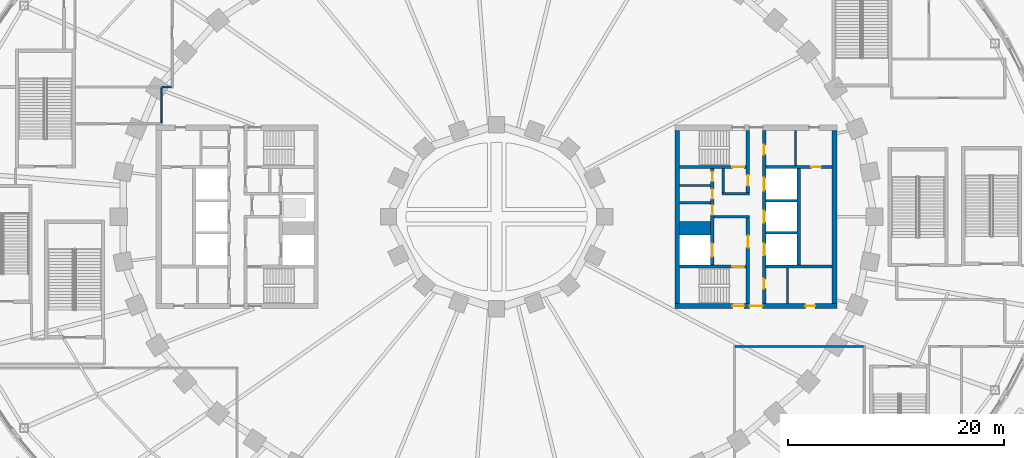
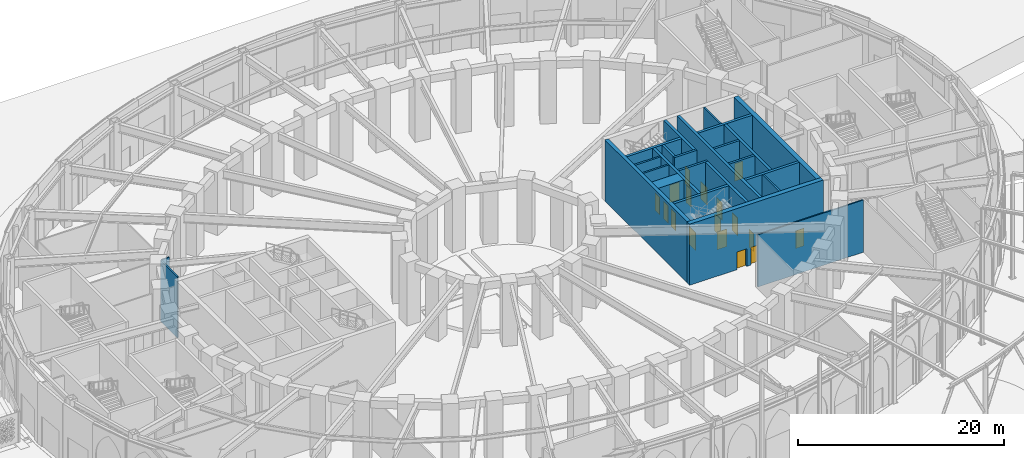
# One storey, part 46 of 79: 25 walls, 17 doors, 17 openings.
"""IFC4 building model written with IfcOpenShell, lengths in metres."""

from ifc_helpers import new_model, si_unit, direction, frame, frame_2d, origin, place, context, subcontext, project, spatial, rectangle, extrude, material, layer, layer_set, type_object, element, fill, save


model = new_model("IFC4")

# Units and contexts
model_context = context("Model", 3, precision=1e-05, world=origin(), true_north=direction((0.0, 1.0)))
body_context = subcontext(model_context, "Body", "Model", "MODEL_VIEW")
ifc_project = project(units=[si_unit("LENGTHUNIT", "METRE"), si_unit("AREAUNIT", "SQUARE_METRE"), si_unit("VOLUMEUNIT", "CUBIC_METRE"), si_unit("PLANEANGLEUNIT", "RADIAN"), si_unit("MASSUNIT", "GRAM", prefix="KILO")], contexts=[model_context])

# Site, building, storey
site_placement = place(None, origin())
site = spatial("IfcSite", under=ifc_project, at=site_placement, CompositionType="ELEMENT")
building_placement = place(site_placement, origin())
building = spatial("IfcBuilding", under=site, at=building_placement, Name="Noorbagh Ring Tower", CompositionType="ELEMENT")
storey_placement = place(building_placement, origin())
storey = spatial("IfcBuildingStorey", under=building, at=storey_placement, Name="L00", CompositionType="ELEMENT", Elevation=0.0)

# Walls
ifc_material_1 = material(Name="Gypsum board on steel studs", Category="steel")
ifc_layer_1 = layer(ifc_material_1, 0.199951171875)
ifc_layer_set_1 = layer_set([ifc_layer_1], Name="Gypsum board on steel studs")
wall_type_1 = type_object("IfcWallType", Name="CORE-PARTITION-200", PredefinedType="PARTITIONING", material=ifc_layer_set_1)
for number, where, z_axis, x_axis, name in (
    (1, (16.89990234375, 1.300048828125, 0.0), (0.0, 0.0, 1.0), (1.0, 0.0, 0.0), "Core partition E"),
    (2, (16.89990234375, 2.89990234375, 0.0), (0.0, 0.0, 1.0), (1.0, 0.0, 0.0), "Core partition E"),
):
    element("IfcWall", number, at=place(storey_placement, frame(where, z_axis=z_axis, x_axis=x_axis)), inside=storey, type_object=wall_type_1, Name=name, PredefinedType="PARTITIONING", context=body_context, shape_type="SweptSolid", body=[
        extrude(rectangle(XDim=2.900146484375, YDim=0.199951171875, at=frame_2d((1.4501953125, 0.0))), origin(), (0.0, 0.0, 1.0), 7.25),
    ])
for number, where, z_axis, x_axis, name in (
    (3, (27.64990234375, 4.75, 0.0), (0.0, 0.0, 1.0), (0.0, 1.0, 0.0), "Core partition E"),
    (4, (26.89990234375, -8.0, 0.0), (0.0, 0.0, 1.0), (0.0, 1.0, 0.0), "Core partition E"),
):
    element("IfcWall", number, at=place(storey_placement, frame(where, z_axis=z_axis, x_axis=x_axis)), inside=storey, type_object=wall_type_1, Name=name, PredefinedType="PARTITIONING", context=body_context, shape_type="SweptSolid", body=[
        extrude(rectangle(XDim=3.25, YDim=0.199951171875, at=frame_2d((1.625, 0.0))), origin(), (0.0, 0.0, 1.0), 7.25),
    ])
ifc_material_2 = material(Name="Concrete C70/85", Category="concrete")
ifc_layer_2 = layer(ifc_material_2, 1.25)
ifc_layer_set_2 = layer_set([ifc_layer_2], Name="Concrete C70/85")
wall_type_2 = type_object("IfcWallType", Name="CORE-WALL-1250-C70-85-EI120", PredefinedType="SHEAR", material=ifc_layer_set_2)
wall_1_placement = place(storey_placement, frame((16.89990234375, -1.074951171875, 0.0), z_axis=(0.0, 0.0, 1.0), x_axis=(1.0, 0.0, 0.0)))
element("IfcWall", 5, at=wall_1_placement, inside=storey, type_object=wall_type_2, Name="Core wall E", PredefinedType="SHEAR", context=body_context, shape_type="SweptSolid", body=[
    extrude(rectangle(XDim=2.900146484375, YDim=1.25, at=frame_2d((1.4501953125, 0.0))), origin(), (0.0, 0.0, 1.0), 7.25),
])
ifc_material_3 = material(Name="Concrete C70/85", Category="concrete")
ifc_layer_3 = layer(ifc_material_3, 0.25)
ifc_layer_set_3 = layer_set([ifc_layer_3], Name="Concrete C70/85")
wall_type_3 = type_object("IfcWallType", Name="CORE-WALL-250-C70-85-EI120", PredefinedType="SHEAR", material=ifc_layer_set_3)
for number, where, z_axis, x_axis, name in (
    (6, (24.89990234375, -1.47509765625, 0.0), (0.0, 0.0, 1.0), (1.0, 0.0, 0.0), "Core wall E"),
    (7, (24.89990234375, 1.47509765625, 0.0), (0.0, 0.0, 1.0), (1.0, 0.0, 0.0), "Core wall E"),
):
    element("IfcWall", number, at=place(storey_placement, frame(where, z_axis=z_axis, x_axis=x_axis)), inside=storey, type_object=wall_type_3, Name=name, PredefinedType="SHEAR", context=body_context, shape_type="SweptSolid", body=[
        extrude(rectangle(XDim=2.900146484375, YDim=0.25, at=frame_2d((1.4501953125, 0.0))), origin(), (0.0, 0.0, 1.0), 7.25),
    ])
ifc_material_4 = material(Name="Concrete C70/85", Category="concrete")
ifc_layer_4 = layer(ifc_material_4, 0.25)
ifc_layer_set_4 = layer_set([ifc_layer_4], Name="Concrete C70/85")
wall_type_4 = type_object("IfcWallType", Name="CORE-WALL-250-C70-85-EI240", PredefinedType="SHEAR", material=ifc_layer_set_4)
wall_2_placement = place(storey_placement, frame((20.10009765625, 0.0, 0.0), z_axis=(0.0, 0.0, 1.0), x_axis=(1.0, 0.0, 0.0)))
element("IfcWall", 8, at=wall_2_placement, inside=storey, type_object=wall_type_4, Name="Core wall E", PredefinedType="SHEAR", context=body_context, shape_type="SweptSolid", body=[
    extrude(rectangle(XDim=3.27978515625, YDim=0.25, at=frame_2d((1.639892578125, 0.0))), origin(), (0.0, 0.0, 1.0), 7.25),
])
wall_3_placement = place(storey_placement, frame((20.85009765625, 2.125, 0.0), z_axis=(0.0, 0.0, 1.0), x_axis=(1.0, 0.0, 0.0)))
element("IfcWall", 9, at=wall_3_placement, inside=storey, type_object=wall_type_4, Name="Core wall E", PredefinedType="SHEAR", context=body_context, shape_type="SweptSolid", body=[
    extrude(rectangle(XDim=2.52978515625, YDim=0.25, at=frame_2d((1.264892578125, 0.0))), origin(), (0.0, 0.0, 1.0), 7.25),
])
wall_4_placement = place(storey_placement, frame((20.97509765625, 2.25, 0.0), z_axis=(0.0, 0.0, 1.0), x_axis=(0.0, 1.0, 0.0)))
element("IfcWall", 10, at=wall_4_placement, inside=storey, type_object=wall_type_4, Name="Core wall E", PredefinedType="SHEAR", context=body_context, shape_type="SweptSolid", body=[
    extrude(rectangle(XDim=2.199951171875, YDim=0.25, at=frame_2d((1.10009765625, 0.0))), origin(), (0.0, 0.0, 1.0), 7.25),
])
ifc_material_5 = material(Name="Concrete C70/85", Category="concrete")
ifc_layer_5 = layer(ifc_material_5, 0.300048828125)
ifc_layer_set_5 = layer_set([ifc_layer_5], Name="Concrete C70/85")
wall_type_5 = type_object("IfcWallType", Name="CORE-WALL-300-C70-85-EI120", PredefinedType="SHEAR", material=ifc_layer_set_5)
wall_5_placement = place(storey_placement, frame((27.949951171875, -4.449951171875, 0.0), z_axis=(0.0, 0.0, 1.0), x_axis=(0.0, 1.0, 0.0)))
element("IfcWall", 11, at=wall_5_placement, inside=storey, type_object=wall_type_5, Name="Core wall E", PredefinedType="SHEAR", context=body_context, shape_type="SweptSolid", body=[
    extrude(rectangle(XDim=8.89990234375, YDim=0.300048828125, at=frame_2d((4.449951171875, 0.0))), origin(), (0.0, 0.0, 1.0), 7.25),
])

# Wall, openings, doors
wall_6_placement = place(storey_placement, frame((19.949951171875, -4.449951171875, 0.0), z_axis=(0.0, 0.0, 1.0), x_axis=(0.0, 1.0, 0.0)))
wall_6 = element("IfcWall", 12, at=wall_6_placement, inside=storey, type_object=wall_type_5, Name="Core wall E", PredefinedType="SHEAR", context=body_context, shape_type="SweptSolid", body=[
    extrude(rectangle(XDim=8.89990234375, YDim=0.300048828125, at=frame_2d((4.449951171875, 0.0))), origin(), (0.0, 0.0, 1.0), 7.25),
])
opening_1_placement = place(wall_6_placement, frame((0.77490234375, 0.0, 0.0)))
opening_1 = element("IfcOpeningElement", 13, at=opening_1_placement, cuts=wall_6, Name="Opening L00-CE01", PredefinedType="OPENING", context=body_context, shape_type="SweptSolid", body=[
    extrude(rectangle(XDim=1.199951171875, YDim=2.10009765625, at=frame_2d((0.60009765625, 1.050048828125))), frame((0.0, 0.16015625, 0.0), z_axis=(0.0, -1.0, 0.0), x_axis=(1.0, 0.0, 0.0)), (0.0, 0.0, 1.0), 0.320068359375),
])
opening_2_placement = place(wall_6_placement, frame((4.6201171875, 0.0, 0.0)))
opening_2 = element("IfcOpeningElement", 14, at=opening_2_placement, cuts=wall_6, Name="Opening L00-CE13", PredefinedType="OPENING", context=body_context, shape_type="SweptSolid", body=[
    extrude(rectangle(XDim=0.89990234375, YDim=2.10009765625, at=frame_2d((0.449951171875, 1.050048828125))), frame((0.0, 0.16015625, 0.0), z_axis=(0.0, -1.0, 0.0), x_axis=(1.0, 0.0, 0.0)), (0.0, 0.0, 1.0), 0.320068359375),
])
opening_3_placement = place(wall_6_placement, frame((6.10009765625, 0.0, 0.0)))
opening_3 = element("IfcOpeningElement", 15, at=opening_3_placement, cuts=wall_6, Name="Opening L00-CE14", PredefinedType="OPENING", context=body_context, shape_type="SweptSolid", body=[
    extrude(rectangle(XDim=0.89990234375, YDim=2.10009765625, at=frame_2d((0.449951171875, 1.050048828125))), frame((0.0, 0.16015625, 0.0), z_axis=(0.0, -1.0, 0.0), x_axis=(1.0, 0.0, 0.0)), (0.0, 0.0, 1.0), 0.320068359375),
])
opening_4_placement = place(wall_6_placement, frame((7.72509765625, 0.0, 0.0)))
opening_4 = element("IfcOpeningElement", 16, at=opening_4_placement, cuts=wall_6, Name="Opening L00-CE15", PredefinedType="OPENING", context=body_context, shape_type="SweptSolid", body=[
    extrude(rectangle(XDim=0.89990234375, YDim=2.10009765625, at=frame_2d((0.449951171875, 1.050048828125))), frame((0.0, 0.16015625, 0.0), z_axis=(0.0, -1.0, 0.0), x_axis=(1.0, 0.0, 0.0)), (0.0, 0.0, 1.0), 0.320068359375),
])
ifc_material_6 = material(Name="Steel door leaf", Category="steel")
door_type_1 = type_object("IfcDoorType", Name="CORE-DOOR-DROOM", OperationType="SINGLE_SWING_LEFT", PredefinedType="DOOR", material=ifc_material_6)
door_1_placement = place(opening_2_placement, origin())
door_1 = element("IfcDoor", 17, at=door_1_placement, inside=storey, type_object=door_type_1, Name="Core room door L00-CE13", OperationType="SINGLE_SWING_LEFT", OverallHeight=2.10009765625, OverallWidth=0.89990234375, PredefinedType="DOOR", context=body_context, shape_type="SweptSolid", body=[
    extrude(rectangle(XDim=0.89990234375, YDim=2.10009765625, at=frame_2d((0.449951171875, 1.050048828125))), frame((0.0, 0.02490234375, 0.0), z_axis=(0.0, -1.0, 0.0), x_axis=(1.0, 0.0, 0.0)), (0.0, 0.0, 1.0), 0.050048828125),
])
fill(opening_2, door_1)
door_2_placement = place(opening_3_placement, origin())
door_2 = element("IfcDoor", 18, at=door_2_placement, inside=storey, type_object=door_type_1, Name="Core room door L00-CE14", OperationType="SINGLE_SWING_RIGHT", OverallHeight=2.10009765625, OverallWidth=0.89990234375, PredefinedType="DOOR", context=body_context, shape_type="SweptSolid", body=[
    extrude(rectangle(XDim=0.89990234375, YDim=2.10009765625, at=frame_2d((0.449951171875, 1.050048828125))), frame((0.0, 0.02490234375, 0.0), z_axis=(0.0, -1.0, 0.0), x_axis=(1.0, 0.0, 0.0)), (0.0, 0.0, 1.0), 0.050048828125),
])
fill(opening_3, door_2)
door_3_placement = place(opening_4_placement, origin())
door_3 = element("IfcDoor", 19, at=door_3_placement, inside=storey, type_object=door_type_1, Name="Core room door L00-CE15", OperationType="SINGLE_SWING_RIGHT", OverallHeight=2.10009765625, OverallWidth=0.89990234375, PredefinedType="DOOR", context=body_context, shape_type="SweptSolid", body=[
    extrude(rectangle(XDim=0.89990234375, YDim=2.10009765625, at=frame_2d((0.449951171875, 1.050048828125))), frame((0.0, 0.02490234375, 0.0), z_axis=(0.0, -1.0, 0.0), x_axis=(1.0, 0.0, 0.0)), (0.0, 0.0, 1.0), 0.050048828125),
])
fill(opening_4, door_3)
ifc_material_7 = material(Name="Steel door leaf", Category="steel")
door_type_2 = type_object("IfcDoorType", Name="CORE-DOOR-LDW", OperationType="DOUBLE_DOOR_SLIDING", PredefinedType="DOOR", material=ifc_material_7)
door_4_placement = place(opening_1_placement, origin())
door_4 = element("IfcDoor", 20, at=door_4_placement, inside=storey, type_object=door_type_2, Name="Landing door FF2 L00-CE01", OperationType="DOUBLE_DOOR_SLIDING", OverallHeight=2.10009765625, OverallWidth=1.199951171875, PredefinedType="DOOR", context=body_context, shape_type="SweptSolid", body=[
    extrude(rectangle(XDim=1.199951171875, YDim=2.10009765625, at=frame_2d((0.60009765625, 1.050048828125))), frame((0.0, 0.02490234375, 0.0), z_axis=(0.0, -1.0, 0.0), x_axis=(1.0, 0.0, 0.0)), (0.0, 0.0, 1.0), 0.050048828125),
])
fill(opening_1, door_4)

wall_7_placement = place(storey_placement, frame((24.75, -8.0, 0.0), z_axis=(0.0, 0.0, 1.0), x_axis=(0.0, 1.0, 0.0)))
wall_7 = element("IfcWall", 21, at=wall_7_placement, inside=storey, type_object=wall_type_5, Name="Core wall E", PredefinedType="SHEAR", context=body_context, shape_type="SweptSolid", body=[
    extrude(rectangle(XDim=16.0, YDim=0.300048828125, at=frame_2d((8.0, 0.0))), origin(), (0.0, 0.0, 1.0), 7.25),
])
opening_5_placement = place(wall_7_placement, frame((4.425048828125, 0.0, 0.0)))
opening_5 = element("IfcOpeningElement", 22, at=opening_5_placement, cuts=wall_7, Name="Opening L00-CE02", PredefinedType="OPENING", context=body_context, shape_type="SweptSolid", body=[
    extrude(rectangle(XDim=1.10009765625, YDim=2.10009765625, at=frame_2d((0.550048828125, 1.050048828125))), frame((0.0, 0.16015625, 0.0), z_axis=(0.0, -1.0, 0.0), x_axis=(1.0, 0.0, 0.0)), (0.0, 0.0, 1.0), 0.320068359375),
])
opening_6_placement = place(wall_7_placement, frame((7.449951171875, 0.0, 0.0)))
opening_6 = element("IfcOpeningElement", 23, at=opening_6_placement, cuts=wall_7, Name="Opening L00-CE03", PredefinedType="OPENING", context=body_context, shape_type="SweptSolid", body=[
    extrude(rectangle(XDim=1.10009765625, YDim=2.10009765625, at=frame_2d((0.550048828125, 1.050048828125))), frame((0.0, 0.16015625, 0.0), z_axis=(0.0, -1.0, 0.0), x_axis=(1.0, 0.0, 0.0)), (0.0, 0.0, 1.0), 0.320068359375),
])
opening_7_placement = place(wall_7_placement, frame((10.425048828125, 0.0, 0.0)))
opening_7 = element("IfcOpeningElement", 24, at=opening_7_placement, cuts=wall_7, Name="Opening L00-CE04", PredefinedType="OPENING", context=body_context, shape_type="SweptSolid", body=[
    extrude(rectangle(XDim=1.199951171875, YDim=2.10009765625, at=frame_2d((0.60009765625, 1.050048828125))), frame((0.0, 0.16015625, 0.0), z_axis=(0.0, -1.0, 0.0), x_axis=(1.0, 0.0, 0.0)), (0.0, 0.0, 1.0), 0.320068359375),
])
opening_8_placement = place(wall_7_placement, frame((13.75, 0.0, 0.0)))
opening_8 = element("IfcOpeningElement", 25, at=opening_8_placement, cuts=wall_7, Name="Opening L00-CE16", PredefinedType="OPENING", context=body_context, shape_type="SweptSolid", body=[
    extrude(rectangle(XDim=0.89990234375, YDim=2.10009765625, at=frame_2d((0.449951171875, 1.050048828125))), frame((0.0, 0.16015625, 0.0), z_axis=(0.0, -1.0, 0.0), x_axis=(1.0, 0.0, 0.0)), (0.0, 0.0, 1.0), 0.320068359375),
])
opening_9_placement = place(wall_7_placement, frame((1.35009765625, 0.0, 0.0)))
opening_9 = element("IfcOpeningElement", 26, at=opening_9_placement, cuts=wall_7, Name="Opening L00-CE18", PredefinedType="OPENING", context=body_context, shape_type="SweptSolid", body=[
    extrude(rectangle(XDim=0.89990234375, YDim=2.10009765625, at=frame_2d((0.449951171875, 1.050048828125))), frame((0.0, 0.16015625, 0.0), z_axis=(0.0, -1.0, 0.0), x_axis=(1.0, 0.0, 0.0)), (0.0, 0.0, 1.0), 0.320068359375),
])
door_5_placement = place(opening_8_placement, origin())
door_5 = element("IfcDoor", 27, at=door_5_placement, inside=storey, type_object=door_type_1, Name="Core room door L00-CE16", OperationType="SINGLE_SWING_LEFT", OverallHeight=2.10009765625, OverallWidth=0.89990234375, PredefinedType="DOOR", context=body_context, shape_type="SweptSolid", body=[
    extrude(rectangle(XDim=0.89990234375, YDim=2.10009765625, at=frame_2d((0.449951171875, 1.050048828125))), frame((0.0, 0.02490234375, 0.0), z_axis=(0.0, -1.0, 0.0), x_axis=(1.0, 0.0, 0.0)), (0.0, 0.0, 1.0), 0.050048828125),
])
fill(opening_8, door_5)
door_6_placement = place(opening_9_placement, origin())
door_6 = element("IfcDoor", 28, at=door_6_placement, inside=storey, type_object=door_type_1, Name="Core room door L00-CE18", OperationType="SINGLE_SWING_RIGHT", OverallHeight=2.10009765625, OverallWidth=0.89990234375, PredefinedType="DOOR", context=body_context, shape_type="SweptSolid", body=[
    extrude(rectangle(XDim=0.89990234375, YDim=2.10009765625, at=frame_2d((0.449951171875, 1.050048828125))), frame((0.0, 0.02490234375, 0.0), z_axis=(0.0, -1.0, 0.0), x_axis=(1.0, 0.0, 0.0)), (0.0, 0.0, 1.0), 0.050048828125),
])
fill(opening_9, door_6)
ifc_material_8 = material(Name="Steel door leaf", Category="steel")
door_type_3 = type_object("IfcDoorType", Name="CORE-DOOR-LD", OperationType="DOUBLE_DOOR_SLIDING", PredefinedType="DOOR", material=ifc_material_8)
door_7_placement = place(opening_5_placement, origin())
door_7 = element("IfcDoor", 29, at=door_7_placement, inside=storey, type_object=door_type_3, Name="Landing door LR3 L00-CE02", OperationType="DOUBLE_DOOR_SLIDING", OverallHeight=2.10009765625, OverallWidth=1.10009765625, PredefinedType="DOOR", context=body_context, shape_type="SweptSolid", body=[
    extrude(rectangle(XDim=1.10009765625, YDim=2.10009765625, at=frame_2d((0.550048828125, 1.050048828125))), frame((0.0, 0.02490234375, 0.0), z_axis=(0.0, -1.0, 0.0), x_axis=(1.0, 0.0, 0.0)), (0.0, 0.0, 1.0), 0.050048828125),
])
fill(opening_5, door_7)
door_8_placement = place(opening_6_placement, origin())
door_8 = element("IfcDoor", 30, at=door_8_placement, inside=storey, type_object=door_type_3, Name="Landing door LR4 L00-CE03", OperationType="DOUBLE_DOOR_SLIDING", OverallHeight=2.10009765625, OverallWidth=1.10009765625, PredefinedType="DOOR", context=body_context, shape_type="SweptSolid", body=[
    extrude(rectangle(XDim=1.10009765625, YDim=2.10009765625, at=frame_2d((0.550048828125, 1.050048828125))), frame((0.0, 0.02490234375, 0.0), z_axis=(0.0, -1.0, 0.0), x_axis=(1.0, 0.0, 0.0)), (0.0, 0.0, 1.0), 0.050048828125),
])
fill(opening_6, door_8)
door_9_placement = place(opening_7_placement, origin())
door_9 = element("IfcDoor", 31, at=door_9_placement, inside=storey, type_object=door_type_2, Name="Landing door SV2 L00-CE04", OperationType="DOUBLE_DOOR_SLIDING", OverallHeight=2.10009765625, OverallWidth=1.199951171875, PredefinedType="DOOR", context=body_context, shape_type="SweptSolid", body=[
    extrude(rectangle(XDim=1.199951171875, YDim=2.10009765625, at=frame_2d((0.60009765625, 1.050048828125))), frame((0.0, 0.02490234375, 0.0), z_axis=(0.0, -1.0, 0.0), x_axis=(1.0, 0.0, 0.0)), (0.0, 0.0, 1.0), 0.050048828125),
])
fill(opening_7, door_9)

# Wall, opening, door
ifc_material_9 = material(Name="Concrete C70/85", Category="concrete")
ifc_layer_6 = layer(ifc_material_9, 0.300048828125)
ifc_layer_set_6 = layer_set([ifc_layer_6], Name="Concrete C70/85")
wall_type_6 = type_object("IfcWallType", Name="CORE-WALL-300-C70-85-EI240", PredefinedType="SHEAR", material=ifc_layer_set_6)
wall_8_placement = place(storey_placement, frame((24.89990234375, 4.60009765625, 0.0), z_axis=(0.0, 0.0, 1.0), x_axis=(1.0, 0.0, 0.0)))
wall_8 = element("IfcWall", 32, at=wall_8_placement, inside=storey, type_object=wall_type_6, Name="Core wall E", PredefinedType="SHEAR", context=body_context, shape_type="SweptSolid", body=[
    extrude(rectangle(XDim=6.10009765625, YDim=0.300048828125, at=frame_2d((3.050048828125, 0.0))), origin(), (0.0, 0.0, 1.0), 7.25),
])
opening_10_placement = place(wall_8_placement, frame((4.199951171875, 0.0, 0.0)))
opening_10 = element("IfcOpeningElement", 33, at=opening_10_placement, cuts=wall_8, Name="Opening L00-CE20", PredefinedType="OPENING", context=body_context, shape_type="SweptSolid", body=[
    extrude(rectangle(XDim=0.89990234375, YDim=2.10009765625, at=frame_2d((0.449951171875, 1.050048828125))), frame((0.0, 0.16015625, 0.0), z_axis=(0.0, -1.0, 0.0), x_axis=(1.0, 0.0, 0.0)), (0.0, 0.0, 1.0), 0.320068359375),
])
door_10_placement = place(opening_10_placement, origin())
door_10 = element("IfcDoor", 34, at=door_10_placement, inside=storey, type_object=door_type_1, Name="Core room door L00-CE20", OperationType="SINGLE_SWING_RIGHT", OverallHeight=2.10009765625, OverallWidth=0.89990234375, PredefinedType="DOOR", context=body_context, shape_type="SweptSolid", body=[
    extrude(rectangle(XDim=0.89990234375, YDim=2.10009765625, at=frame_2d((0.449951171875, 1.050048828125))), frame((0.0, 0.02490234375, 0.0), z_axis=(0.0, -1.0, 0.0), x_axis=(1.0, 0.0, 0.0)), (0.0, 0.0, 1.0), 0.050048828125),
])
fill(opening_10, door_10)

# Wall
wall_9_placement = place(storey_placement, frame((24.89990234375, -4.60009765625, 0.0), z_axis=(0.0, 0.0, 1.0), x_axis=(1.0, 0.0, 0.0)))
element("IfcWall", 35, at=wall_9_placement, inside=storey, type_object=wall_type_6, Name="Core wall E", PredefinedType="SHEAR", context=body_context, shape_type="SweptSolid", body=[
    extrude(rectangle(XDim=6.10009765625, YDim=0.300048828125, at=frame_2d((3.050048828125, 0.0))), origin(), (0.0, 0.0, 1.0), 7.25),
])

# Wall, opening, door
wall_10_placement = place(storey_placement, frame((23.22998046875, 2.25, 0.0), z_axis=(0.0, 0.0, 1.0), x_axis=(0.0, 1.0, 0.0)))
wall_10 = element("IfcWall", 36, at=wall_10_placement, inside=storey, type_object=wall_type_6, Name="Core wall E", PredefinedType="SHEAR", context=body_context, shape_type="SweptSolid", body=[
    extrude(rectangle(XDim=5.75, YDim=0.300048828125, at=frame_2d((2.875, 0.0))), origin(), (0.0, 0.0, 1.0), 7.25),
])
opening_11_placement = place(wall_10_placement, frame((0.60009765625, 0.0, 0.0)))
opening_11 = element("IfcOpeningElement", 37, at=opening_11_placement, cuts=wall_10, Name="Opening L00-CE08", PredefinedType="OPENING", context=body_context, shape_type="SweptSolid", body=[
    extrude(rectangle(XDim=1.0, YDim=2.10009765625, at=frame_2d((0.5, 1.050048828125))), frame((0.0, 0.16015625, 0.0), z_axis=(0.0, -1.0, 0.0), x_axis=(1.0, 0.0, 0.0)), (0.0, 0.0, 1.0), 0.320068359375),
])
ifc_material_10 = material(Name="Steel door leaf", Category="steel")
door_type_4 = type_object("IfcDoorType", Name="CORE-DOOR-DVEST", OperationType="SINGLE_SWING_LEFT", PredefinedType="DOOR", material=ifc_material_10)
door_11_placement = place(opening_11_placement, origin())
door_11 = element("IfcDoor", 38, at=door_11_placement, inside=storey, type_object=door_type_4, Name="Stair vestibule door L00-CE08", OperationType="SINGLE_SWING_RIGHT", OverallHeight=2.10009765625, OverallWidth=1.0, PredefinedType="DOOR", context=body_context, shape_type="SweptSolid", body=[
    extrude(rectangle(XDim=1.0, YDim=2.10009765625, at=frame_2d((0.5, 1.050048828125))), frame((0.0, 0.02490234375, 0.0), z_axis=(0.0, -1.0, 0.0), x_axis=(1.0, 0.0, 0.0)), (0.0, 0.0, 1.0), 0.050048828125),
])
fill(opening_11, door_11)

wall_11_placement = place(storey_placement, frame((23.22998046875, -8.0, 0.0), z_axis=(0.0, 0.0, 1.0), x_axis=(0.0, 1.0, 0.0)))
wall_11 = element("IfcWall", 39, at=wall_11_placement, inside=storey, type_object=wall_type_6, Name="Core wall E", PredefinedType="SHEAR", context=body_context, shape_type="SweptSolid", body=[
    extrude(rectangle(XDim=7.875, YDim=0.300048828125, at=frame_2d((3.9375, 0.0))), origin(), (0.0, 0.0, 1.0), 7.25),
])
opening_12_placement = place(wall_11_placement, frame((5.14990234375, 0.0, 0.0)))
opening_12 = element("IfcOpeningElement", 40, at=opening_12_placement, cuts=wall_11, Name="Opening L00-CE07", PredefinedType="OPENING", context=body_context, shape_type="SweptSolid", body=[
    extrude(rectangle(XDim=1.10009765625, YDim=2.10009765625, at=frame_2d((0.550048828125, 1.050048828125))), frame((0.0, 0.16015625, 0.0), z_axis=(0.0, -1.0, 0.0), x_axis=(1.0, 0.0, 0.0)), (0.0, 0.0, 1.0), 0.320068359375),
])
ifc_material_11 = material(Name="Steel door leaf", Category="steel")
door_type_5 = type_object("IfcDoorType", Name="CORE-DOOR-DFF", OperationType="SINGLE_SWING_LEFT", PredefinedType="DOOR", material=ifc_material_11)
door_12_placement = place(opening_12_placement, origin())
door_12 = element("IfcDoor", 41, at=door_12_placement, inside=storey, type_object=door_type_5, Name="Firefighting lobby door L00-CE07", OperationType="SINGLE_SWING_RIGHT", OverallHeight=2.10009765625, OverallWidth=1.10009765625, PredefinedType="DOOR", context=body_context, shape_type="SweptSolid", body=[
    extrude(rectangle(XDim=1.10009765625, YDim=2.10009765625, at=frame_2d((0.550048828125, 1.050048828125))), frame((0.0, 0.02490234375, 0.0), z_axis=(0.0, -1.0, 0.0), x_axis=(1.0, 0.0, 0.0)), (0.0, 0.0, 1.0), 0.050048828125),
])
fill(opening_12, door_12)

wall_12_placement = place(storey_placement, frame((16.89990234375, 4.60009765625, 0.0), z_axis=(0.0, 0.0, 1.0), x_axis=(1.0, 0.0, 0.0)))
wall_12 = element("IfcWall", 42, at=wall_12_placement, inside=storey, type_object=wall_type_6, Name="Core wall E", PredefinedType="SHEAR", context=body_context, shape_type="SweptSolid", body=[
    extrude(rectangle(XDim=6.18017578125, YDim=0.300048828125, at=frame_2d((3.090087890625, 0.0))), origin(), (0.0, 0.0, 1.0), 7.25),
])
opening_13_placement = place(wall_12_placement, frame((4.89990234375, 0.0, 0.0)))
opening_13 = element("IfcOpeningElement", 43, at=opening_13_placement, cuts=wall_12, Name="Opening L00-CE05", PredefinedType="OPENING", context=body_context, shape_type="SweptSolid", body=[
    extrude(rectangle(XDim=1.10009765625, YDim=2.10009765625, at=frame_2d((0.550048828125, 1.050048828125))), frame((0.0, 0.16015625, 0.0), z_axis=(0.0, -1.0, 0.0), x_axis=(1.0, 0.0, 0.0)), (0.0, 0.0, 1.0), 0.320068359375),
])
ifc_material_12 = material(Name="Steel door leaf", Category="steel")
door_type_6 = type_object("IfcDoorType", Name="CORE-DOOR-DSTAIR", OperationType="SINGLE_SWING_LEFT", PredefinedType="DOOR", material=ifc_material_12)
door_13_placement = place(opening_13_placement, origin())
door_13 = element("IfcDoor", 44, at=door_13_placement, inside=storey, type_object=door_type_6, Name="Stair door ST3 L00-CE05", OperationType="SINGLE_SWING_LEFT", OverallHeight=2.10009765625, OverallWidth=1.10009765625, PredefinedType="DOOR", context=body_context, shape_type="SweptSolid", body=[
    extrude(rectangle(XDim=1.10009765625, YDim=2.10009765625, at=frame_2d((0.550048828125, 1.050048828125))), frame((0.0, 0.02490234375, 0.0), z_axis=(0.0, -1.0, 0.0), x_axis=(1.0, 0.0, 0.0)), (0.0, 0.0, 1.0), 0.050048828125),
])
fill(opening_13, door_13)

wall_13_placement = place(storey_placement, frame((16.89990234375, -4.60009765625, 0.0), z_axis=(0.0, 0.0, 1.0), x_axis=(1.0, 0.0, 0.0)))
wall_13 = element("IfcWall", 45, at=wall_13_placement, inside=storey, type_object=wall_type_6, Name="Core wall E", PredefinedType="SHEAR", context=body_context, shape_type="SweptSolid", body=[
    extrude(rectangle(XDim=6.18017578125, YDim=0.300048828125, at=frame_2d((3.090087890625, 0.0))), origin(), (0.0, 0.0, 1.0), 7.25),
])
opening_14_placement = place(wall_13_placement, frame((4.89990234375, 0.0, 0.0)))
opening_14 = element("IfcOpeningElement", 46, at=opening_14_placement, cuts=wall_13, Name="Opening L00-CE06", PredefinedType="OPENING", context=body_context, shape_type="SweptSolid", body=[
    extrude(rectangle(XDim=1.10009765625, YDim=2.10009765625, at=frame_2d((0.550048828125, 1.050048828125))), frame((0.0, 0.16015625, 0.0), z_axis=(0.0, -1.0, 0.0), x_axis=(1.0, 0.0, 0.0)), (0.0, 0.0, 1.0), 0.320068359375),
])
door_14_placement = place(opening_14_placement, origin())
door_14 = element("IfcDoor", 47, at=door_14_placement, inside=storey, type_object=door_type_6, Name="Stair door ST4 L00-CE06", OperationType="SINGLE_SWING_RIGHT", OverallHeight=2.10009765625, OverallWidth=1.10009765625, PredefinedType="DOOR", context=body_context, shape_type="SweptSolid", body=[
    extrude(rectangle(XDim=1.10009765625, YDim=2.10009765625, at=frame_2d((0.550048828125, 1.050048828125))), frame((0.0, 0.02490234375, 0.0), z_axis=(0.0, -1.0, 0.0), x_axis=(1.0, 0.0, 0.0)), (0.0, 0.0, 1.0), 0.050048828125),
])
fill(opening_14, door_14)

# Wall
ifc_material_13 = material(Name="Concrete C70/85", Category="concrete")
ifc_layer_7 = layer(ifc_material_13, 0.39990234375)
ifc_layer_set_7 = layer_set([ifc_layer_7], Name="Concrete C70/85")
wall_type_7 = type_object("IfcWallType", Name="CORE-WALL-400-C70-85-EI240", PredefinedType="SHEAR", material=ifc_layer_set_7)
wall_14_placement = place(storey_placement, frame((16.699951171875, -8.0, 0.0), z_axis=(0.0, 0.0, 1.0), x_axis=(0.0, 1.0, 0.0)))
element("IfcWall", 48, at=wall_14_placement, inside=storey, type_object=wall_type_7, Name="Core wall E", PredefinedType="SHEAR", context=body_context, shape_type="SweptSolid", body=[
    extrude(rectangle(XDim=16.0, YDim=0.39990234375, at=frame_2d((8.0, 0.0))), origin(), (0.0, 0.0, 1.0), 7.25),
])

# Wall, openings, doors
ifc_material_14 = material(Name="Concrete C70/85", Category="concrete")
ifc_layer_8 = layer(ifc_material_14, 0.5)
ifc_layer_set_8 = layer_set([ifc_layer_8], Name="Concrete C70/85")
wall_type_8 = type_object("IfcWallType", Name="CORE-WALL-500-C70-85-EI240", PredefinedType="SHEAR", material=ifc_layer_set_8)
wall_15_placement = place(storey_placement, frame((16.5, -8.25, 0.0), z_axis=(0.0, 0.0, 1.0), x_axis=(1.0, 0.0, 0.0)))
wall_15 = element("IfcWall", 49, at=wall_15_placement, inside=storey, type_object=wall_type_8, Name="Core wall E", PredefinedType="SHEAR", context=body_context, shape_type="SweptSolid", body=[
    extrude(rectangle(XDim=15.0, YDim=0.5, at=frame_2d((7.5, 0.0))), origin(), (0.0, 0.0, 1.0), 7.25),
])
opening_15_placement = place(wall_15_placement, frame((6.89990234375, 0.0, 0.0)))
opening_15 = element("IfcOpeningElement", 50, at=opening_15_placement, cuts=wall_15, Name="Opening L00-CE10", PredefinedType="OPENING", context=body_context, shape_type="SweptSolid", body=[
    extrude(rectangle(XDim=1.199951171875, YDim=2.10009765625, at=frame_2d((0.60009765625, 1.050048828125))), frame((0.0, 0.260009765625, 0.0), z_axis=(0.0, -1.0, 0.0), x_axis=(1.0, 0.0, 0.0)), (0.0, 0.0, 1.0), 0.52001953125),
])
opening_16_placement = place(wall_15_placement, frame((5.300048828125, 0.0, 0.0)))
opening_16 = element("IfcOpeningElement", 51, at=opening_16_placement, cuts=wall_15, Name="Opening L00-CE12", PredefinedType="OPENING", context=body_context, shape_type="SweptSolid", body=[
    extrude(rectangle(XDim=1.10009765625, YDim=2.10009765625, at=frame_2d((0.550048828125, 1.050048828125))), frame((0.0, 0.260009765625, 0.0), z_axis=(0.0, -1.0, 0.0), x_axis=(1.0, 0.0, 0.0)), (0.0, 0.0, 1.0), 0.52001953125),
])
opening_17_placement = place(wall_15_placement, frame((12.050048828125, 0.0, 0.0)))
opening_17 = element("IfcOpeningElement", 52, at=opening_17_placement, cuts=wall_15, Name="Opening L00-CE19", PredefinedType="OPENING", context=body_context, shape_type="SweptSolid", body=[
    extrude(rectangle(XDim=0.89990234375, YDim=2.10009765625, at=frame_2d((0.449951171875, 1.050048828125))), frame((0.0, 0.260009765625, 0.0), z_axis=(0.0, -1.0, 0.0), x_axis=(1.0, 0.0, 0.0)), (0.0, 0.0, 1.0), 0.52001953125),
])
ifc_material_15 = material(Name="Steel door leaf", Category="steel")
door_type_7 = type_object("IfcDoorType", Name="CORE-DOOR-DEXIT", OperationType="SINGLE_SWING_LEFT", PredefinedType="DOOR", material=ifc_material_15)
door_15_placement = place(opening_16_placement, origin())
door_15 = element("IfcDoor", 53, at=door_15_placement, inside=storey, type_object=door_type_7, Name="Exit ST4 L00-CE12", OperationType="SINGLE_SWING_LEFT", OverallHeight=2.10009765625, OverallWidth=1.10009765625, PredefinedType="DOOR", context=body_context, shape_type="SweptSolid", body=[
    extrude(rectangle(XDim=1.10009765625, YDim=2.10009765625, at=frame_2d((0.550048828125, 1.050048828125))), frame((0.0, 0.02490234375, 0.0), z_axis=(0.0, -1.0, 0.0), x_axis=(1.0, 0.0, 0.0)), (0.0, 0.0, 1.0), 0.050048828125),
])
fill(opening_16, door_15)
door_16_placement = place(opening_17_placement, origin())
door_16 = element("IfcDoor", 54, at=door_16_placement, inside=storey, type_object=door_type_1, Name="Core room door L00-CE19", OperationType="SINGLE_SWING_RIGHT", OverallHeight=2.10009765625, OverallWidth=0.89990234375, PredefinedType="DOOR", context=body_context, shape_type="SweptSolid", body=[
    extrude(rectangle(XDim=0.89990234375, YDim=2.10009765625, at=frame_2d((0.449951171875, 1.050048828125))), frame((0.0, 0.02490234375, 0.0), z_axis=(0.0, -1.0, 0.0), x_axis=(1.0, 0.0, 0.0)), (0.0, 0.0, 1.0), 0.050048828125),
])
fill(opening_17, door_16)
ifc_material_16 = material(Name="Steel door leaf", Category="steel")
door_type_8 = type_object("IfcDoorType", Name="CORE-DOOR-PORT", OperationType="DOUBLE_DOOR_DOUBLE_SWING", PredefinedType="DOOR", material=ifc_material_16)
door_17_placement = place(opening_15_placement, origin())
door_17 = element("IfcDoor", 55, at=door_17_placement, inside=storey, type_object=door_type_8, Name="Core entrance door L00-CE10", OperationType="DOUBLE_DOOR_DOUBLE_SWING", OverallHeight=2.10009765625, OverallWidth=1.199951171875, PredefinedType="DOOR", context=body_context, shape_type="SweptSolid", body=[
    extrude(rectangle(XDim=1.199951171875, YDim=2.10009765625, at=frame_2d((0.60009765625, 1.050048828125))), frame((0.0, 0.02490234375, 0.0), z_axis=(0.0, -1.0, 0.0), x_axis=(1.0, 0.0, 0.0)), (0.0, 0.0, 1.0), 0.050048828125),
])
fill(opening_15, door_17)

# Walls
wall_16_placement = place(storey_placement, frame((31.25, -8.0, 0.0), z_axis=(0.0, 0.0, 1.0), x_axis=(0.0, 1.0, 0.0)))
element("IfcWall", 56, at=wall_16_placement, inside=storey, type_object=wall_type_8, Name="Core wall E", PredefinedType="SHEAR", context=body_context, shape_type="SweptSolid", body=[
    extrude(rectangle(XDim=16.0, YDim=0.5, at=frame_2d((8.0, 0.0))), origin(), (0.0, 0.0, 1.0), 7.25),
])
ifc_material_17 = material(Name="Gypsum board on steel studs", Category="steel")
ifc_layer_9 = layer(ifc_material_17, 0.14990234375)
ifc_layer_set_9 = layer_set([ifc_layer_9], Name="Gypsum board on steel studs")
wall_type_9 = type_object("IfcWallType", Name="GND-PART-150", PredefinedType="PARTITIONING", material=ifc_layer_set_9)
wall_17_placement = place(storey_placement, frame((22.074951171875, -12.0, 0.0), z_axis=(0.0, 0.0, 1.0), x_axis=(1.0, 0.0, 0.0)))
element("IfcWall", 57, at=wall_17_placement, inside=storey, type_object=wall_type_9, Name="L00/wall/P003", PredefinedType="PARTITIONING", context=body_context, shape_type="SweptSolid", body=[
    extrude(rectangle(XDim=11.85009765625, YDim=0.14990234375, at=frame_2d((5.925048828125, 0.0))), origin(), (0.0, 0.0, 1.0), 6.199951171875),
])
wall_18_placement = place(storey_placement, frame((-30.074951171875, 12.0, 0.0), z_axis=(0.0, 0.0, 1.0), x_axis=(-1.0, 0.0, 0.0)))
element("IfcWall", 58, at=wall_18_placement, inside=storey, type_object=wall_type_9, Name="L00/wall/P028", PredefinedType="PARTITIONING", context=body_context, shape_type="SweptSolid", body=[
    extrude(rectangle(XDim=0.860107421875, YDim=0.14990234375, at=frame_2d((0.43017578125, 0.0))), origin(), (0.0, 0.0, 1.0), 7.25),
])
wall_19_placement = place(storey_placement, frame((-31.0, 11.925048828125, 0.0), z_axis=(0.0, 0.0, 1.0), x_axis=(0.0, -1.0, 0.0)))
element("IfcWall", 59, at=wall_19_placement, inside=storey, type_object=wall_type_9, Name="L00/wall/P032", PredefinedType="PARTITIONING", context=body_context, shape_type="SweptSolid", body=[
    extrude(rectangle(XDim=3.25, YDim=0.14990234375, at=frame_2d((1.625, 0.0))), origin(), (0.0, 0.0, 1.0), 7.25),
])

save(model, "model.ifc")
